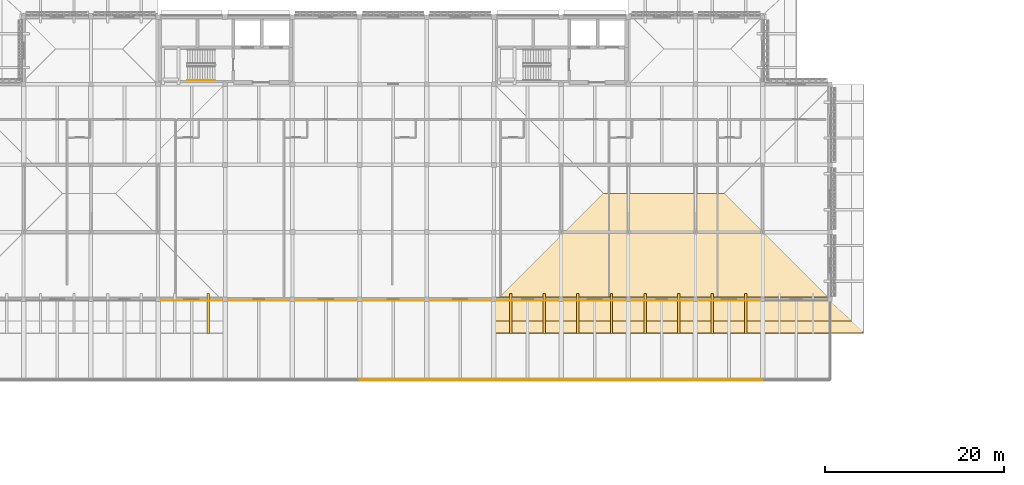
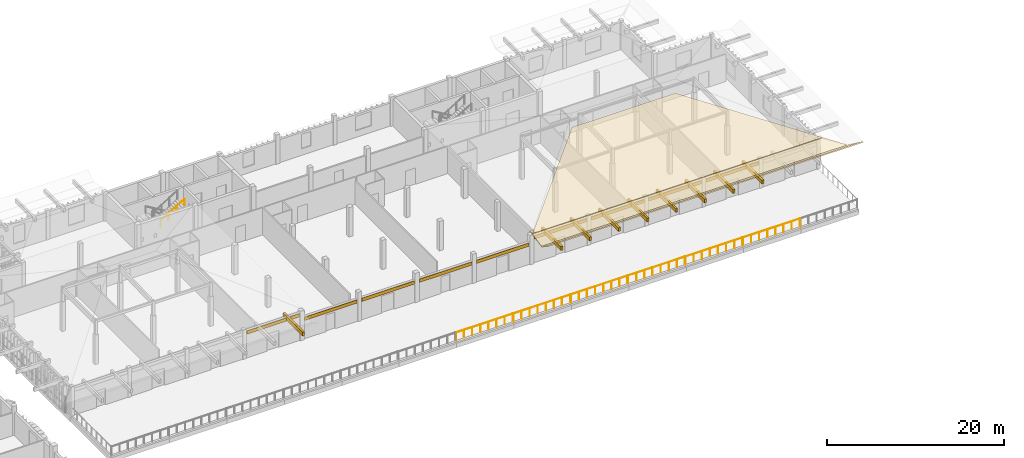
# One storey, part 42 of 48: 21 coverings, 7 railings.
"""IFC4 building model written with IfcOpenShell, lengths in metres."""

import ifcopenshell
import ifcopenshell.guid

model = None  # the IFC model being written
_history = None  # IfcOwnerHistory: only IFC2X3 demands one
_inside = {}  # id of a spatial element -> (the spatial element, [elements in it])
_under = {}  # id of a project, library or spatial element -> (it, [spatial elements below it])
_declared = {}  # id of a project -> (the project, [libraries it declares])
_typed = {}  # id of a type object -> (the type object, [elements of that type])
_made_of = {}  # id of a material, layer set ... -> (it, [elements and type objects made of it])


def new_model(schema):
    """Start an empty IFC model of exactly this schema.

    Asked for "IFC4X3", IfcOpenShell would pick the latest addendum, in which some entities
    have other attributes; the version numbers below select the first issue.
    IFC2X3 requires an IfcOwnerHistory on every rooted entity: one is made here for all.
    """
    global model, _history
    if schema == "IFC4X3":
        model = ifcopenshell.file(schema_version=(4, 3, 0, 0))
    else:
        model = ifcopenshell.file(schema=schema)
    _inside.clear()
    _under.clear()
    _declared.clear()
    _typed.clear()
    _made_of.clear()
    _history = None
    if model.schema == "IFC2X3":
        org = make("IfcOrganization", Name="unknown")
        user = make(
            "IfcPersonAndOrganization",
            ThePerson=make("IfcPerson", FamilyName="unknown"),
            TheOrganization=org,
        )
        app = make(
            "IfcApplication",
            ApplicationDeveloper=org,
            Version="unknown",
            ApplicationFullName="unknown",
            ApplicationIdentifier="unknown",
        )
        _history = make(
            "IfcOwnerHistory",
            OwningUser=user,
            OwningApplication=app,
            ChangeAction="ADDED",
            CreationDate=0,
        )
    return model


def make(cls, **values):
    """One entity of the class cls with the attributes given. An attribute that is None is left unset."""
    return model.create_entity(
        cls, **{name: value for name, value in values.items() if value is not None}
    )


def rooted(cls, **values):
    """An entity with a GlobalId (a new one), such as an element, a storey or a relation."""
    return make(cls, GlobalId=ifcopenshell.guid.new(), OwnerHistory=_history, **values)


def si_unit(unit_type, name, prefix=None):
    """IfcSIUnit, for example si_unit("LENGTHUNIT", "METRE", prefix="MILLI")."""
    return make("IfcSIUnit", UnitType=unit_type, Prefix=prefix, Name=name)


def assignment(units):
    """IfcUnitAssignment: the units of a project."""
    return None if units is None else make("IfcUnitAssignment", Units=units)


def point(xyz):
    """IfcCartesianPoint."""
    return None if xyz is None else make("IfcCartesianPoint", Coordinates=xyz)


def direction(xyz):
    """IfcDirection."""
    return None if xyz is None else make("IfcDirection", DirectionRatios=xyz)


def frame(location, z_axis=None, x_axis=None):
    """IfcAxis2Placement3D, a coordinate frame: its origin and axes. An axis left out is left unset."""
    return make(
        "IfcAxis2Placement3D",
        Location=point(location),
        Axis=direction(z_axis),
        RefDirection=direction(x_axis),
    )


def frame_2d(location, x_axis=None):
    """IfcAxis2Placement2D, a coordinate frame in the plane: its origin and x axis."""
    return make(
        "IfcAxis2Placement2D", Location=point(location), RefDirection=direction(x_axis)
    )


def origin():
    """The frame at (0, 0, 0) with its axes left unset."""
    return frame((0.0, 0.0, 0.0))


def origin_2d():
    """The frame at (0, 0) in the plane with its x axis left unset."""
    return frame_2d((0.0, 0.0))


def place(relative_to, where):
    """IfcLocalPlacement: puts the frame where relative to a parent placement (None: the world)."""
    return make(
        "IfcLocalPlacement", PlacementRelTo=relative_to, RelativePlacement=where
    )


def context(
    kind, dimensions, precision=None, world=None, true_north=None, identifier=None
):
    """IfcGeometricRepresentationContext, for example the 3D "Model" context."""
    return make(
        "IfcGeometricRepresentationContext",
        ContextIdentifier=identifier,
        ContextType=kind,
        CoordinateSpaceDimension=dimensions,
        Precision=precision,
        WorldCoordinateSystem=world,
        TrueNorth=true_north,
    )


def subcontext(parent, identifier, kind, view, scale=None):
    """IfcGeometricRepresentationSubContext, for example "Body" below "Model"."""
    return make(
        "IfcGeometricRepresentationSubContext",
        ContextIdentifier=identifier,
        ContextType=kind,
        ParentContext=parent,
        TargetScale=scale,
        TargetView=view,
    )


def project(units=None, contexts=None):
    """IfcProject with its units and contexts."""
    return rooted(
        "IfcProject",
        Name="project",
        RepresentationContexts=contexts,
        UnitsInContext=assignment(units),
    )


def spatial(cls, under=None, at=None, **own):
    """A site, building, storey or space (cls), placed at a placement, below another one or the project."""
    s = rooted(cls, ObjectPlacement=at, **own)
    if under is not None:
        _under.setdefault(under.id(), (under, []))[1].append(s)
    return s


def polyline(points):
    """IfcPolyline through the points."""
    return make("IfcPolyline", Points=[point(p) for p in points])


def profile(cls, at=None, kind="AREA", **sizes):
    """A parametric profile (cls). Its sizes go by their IFC names, for example OverallWidth=200.0."""
    return make(cls, ProfileType=kind, Position=at, **sizes)


def rectangle(**sizes):
    """IfcRectangleProfileDef."""
    return profile("IfcRectangleProfileDef", **sizes)


def circle(**sizes):
    """IfcCircleProfileDef."""
    return profile("IfcCircleProfileDef", **sizes)


def outline(outer, holes=None, kind="AREA"):
    """IfcArbitraryClosedProfileDef: a profile drawn as a closed curve; with holes, ...WithVoids."""
    if holes is None:
        return make("IfcArbitraryClosedProfileDef", ProfileType=kind, OuterCurve=outer)
    return make(
        "IfcArbitraryProfileDefWithVoids",
        ProfileType=kind,
        OuterCurve=outer,
        InnerCurves=holes,
    )


def extrude(swept, where, along, depth):
    """IfcExtrudedAreaSolid: the profile swept, set in the frame where, extruded along a direction by depth."""
    return make(
        "IfcExtrudedAreaSolid",
        SweptArea=swept,
        Position=where,
        ExtrudedDirection=direction(along),
        Depth=depth,
    )


def shape(context_of_items, identifier, shape_type, items):
    """IfcShapeRepresentation: the items that make up one representation, for example the "Body"."""
    return make(
        "IfcShapeRepresentation",
        ContextOfItems=context_of_items,
        RepresentationIdentifier=identifier,
        RepresentationType=shape_type,
        Items=items,
    )


def material(Name=None, Category=None):
    """IfcMaterial."""
    return make("IfcMaterial", Name=Name, Category=Category)


def layer(
    of_material, thickness, ventilated=None, Name=None, Category=None, Priority=None
):
    """IfcMaterialLayer: one layer of a wall or slab, of a material (None: an air gap)."""
    return make(
        "IfcMaterialLayer",
        Material=of_material,
        LayerThickness=thickness,
        IsVentilated=ventilated,
        Name=Name,
        Category=Category,
        Priority=Priority,
    )


def layer_set(layers, Name=None):
    """IfcMaterialLayerSet."""
    return make("IfcMaterialLayerSet", MaterialLayers=layers, LayerSetName=Name)


def made_of(thing, what):
    """Note that an element or type object is made of a material, layer set ...; save() writes the relation."""
    if what is not None:
        _made_of.setdefault(what.id(), (what, []))[1].append(thing)
    return thing


def type_object(cls, material=None, **own):
    """A type object (cls), such as IfcWallType, which elements share."""
    return made_of(rooted(cls, **own), material)


def element(
    cls,
    number,
    at=None,
    inside=None,
    cuts=None,
    type_object=None,
    material=None,
    context=None,
    identifier="Body",
    shape_type=None,
    held_by="IfcProductDefinitionShape",
    body=None,
    shapes=None,
    **own,
):
    """One element of the class cls, such as IfcWall. Its Tag is "e" and its number.

    at: its placement. inside: the storey or other place that contains it. cuts: it is an
    opening in that element (IfcRelVoidsElement). A single representation is given by context,
    identifier, shape_type and body (its items); several are given by shapes. held_by: the class
    of the entity that holds the representations. save() writes the other relations.
    """
    e = rooted(cls, Tag="e%d" % number, ObjectPlacement=at, **own)
    if body is not None:
        shapes = [shape(context, identifier, shape_type, body)]
    if shapes is not None:
        e.Representation = make(held_by, Representations=shapes)
    if inside is not None:
        _inside.setdefault(inside.id(), (inside, []))[1].append(e)
    if cuts is not None:
        rooted(
            "IfcRelVoidsElement", RelatingBuildingElement=cuts, RelatedOpeningElement=e
        )
    if type_object is not None:
        _typed.setdefault(type_object.id(), (type_object, []))[1].append(e)
    return made_of(e, material)


def aggregate(whole, parts):
    """IfcRelAggregates: a whole, such as a stair, and the parts it consists of."""
    return rooted("IfcRelAggregates", RelatingObject=whole, RelatedObjects=parts)


def save(model, path):
    """Write the relations noted so far, then the file.

    IfcRelAggregates (storeys below a building ...), IfcRelContainedInSpatialStructure (elements
    in a storey), IfcRelDefinesByType, IfcRelAssociatesMaterial and IfcRelDeclares: one each for
    every whole, place, type object, material and project.
    """
    for whole, parts in _under.values():
        aggregate(whole, parts)
    for where, things in _inside.values():
        rooted(
            "IfcRelContainedInSpatialStructure",
            RelatedElements=things,
            RelatingStructure=where,
        )
    for kind, things in _typed.values():
        rooted("IfcRelDefinesByType", RelatedObjects=things, RelatingType=kind)
    for what, things in _made_of.values():
        rooted("IfcRelAssociatesMaterial", RelatedObjects=things, RelatingMaterial=what)
    for by, libraries in _declared.values():
        rooted("IfcRelDeclares", RelatingContext=by, RelatedDefinitions=libraries)
    model.write(path)


model = new_model("IFC4")

# Units and contexts
model_context = context("Model", 3, precision=1e-05, world=origin(), true_north=direction((0.0, 1.0)))
body_context = subcontext(model_context, "Body", "Model", "MODEL_VIEW")
ifc_project = project(units=[si_unit("LENGTHUNIT", "METRE"), si_unit("AREAUNIT", "SQUARE_METRE"), si_unit("VOLUMEUNIT", "CUBIC_METRE"), si_unit("PLANEANGLEUNIT", "RADIAN"), si_unit("MASSUNIT", "GRAM", prefix="KILO")], contexts=[model_context])

# Site, building, storey
site_placement = place(None, origin())
site = spatial("IfcSite", under=ifc_project, at=site_placement, CompositionType="ELEMENT")
building_placement = place(site_placement, origin())
building = spatial("IfcBuilding", under=site, at=building_placement, Name="Dalvernix Boulevard General Hospital", CompositionType="ELEMENT")
storey_placement = place(building_placement, frame((0.0, 0.0, 17.85009765625)))
storey = spatial("IfcBuildingStorey", under=building, at=storey_placement, Name="L04", CompositionType="ELEMENT", Elevation=17.85009765625)

# Coverings
ifc_material_1 = material(Name="Polychrome Catalan glazed ceramic spandrel tile panel")
ifc_layer_1 = layer(ifc_material_1, 0.044921875)
ifc_layer_set_1 = layer_set([ifc_layer_1], Name="Polychrome Catalan glazed ceramic spandrel tile panel (COV-CLD-01)")
covering_type_1 = type_object("IfcCoveringType", Name="COV-CLD-01", PredefinedType="CLADDING", material=ifc_layer_set_1)
covering_1_placement = place(storey_placement, frame((63.72509765625, 85.330078125, 3.294921875), z_axis=(0.0, 0.0, 1.0), x_axis=(-1.0, 0.0, 0.0)))
element("IfcCovering", 1, at=covering_1_placement, inside=storey, type_object=covering_type_1, Name="L04 polychrome ceramic spandrel S 8-11", PredefinedType="CLADDING", context=body_context, shape_type="SweptSolid", body=[
    extrude(rectangle(XDim=6.8798828125, YDim=0.044921875, at=origin_2d()), origin(), (0.0, 0.0, 1.0), 0.449951171875),
])
for number, where, z_axis, x_axis, name in (
    (2, (71.262451171875, 85.330078125, 2.5546875), (0.0, 0.0, 1.0), (-1.0, 0.0, 0.0), "L04 polychrome ceramic spandrel S 9-11"),
    (3, (78.737548828125, 85.330078125, 2.5546875), (0.0, 0.0, 1.0), (-1.0, 0.0, 0.0), "L04 polychrome ceramic spandrel S 10-11"),
    (4, (86.262451171875, 85.330078125, 2.5546875), (0.0, 0.0, 1.0), (-1.0, 0.0, 0.0), "L04 polychrome ceramic spandrel S 11-11"),
    (5, (93.737548828125, 85.330078125, 2.5546875), (0.0, 0.0, 1.0), (-1.0, 0.0, 0.0), "L04 polychrome ceramic spandrel S 12-11"),
):
    element("IfcCovering", number, at=place(storey_placement, frame(where, z_axis=z_axis, x_axis=x_axis)), inside=storey, type_object=covering_type_1, Name=name, PredefinedType="CLADDING", context=body_context, shape_type="SweptSolid", body=[
        extrude(rectangle(XDim=6.85498046875, YDim=0.044921875, at=origin_2d()), origin(), (0.0, 0.0, 1.0), 0.449951171875),
    ])
covering_2_placement = place(storey_placement, frame((101.27490234375, 85.330078125, 3.294921875), z_axis=(0.0, 0.0, 1.0), x_axis=(-1.0, 0.0, 0.0)))
element("IfcCovering", 6, at=covering_2_placement, inside=storey, type_object=covering_type_1, Name="L04 polychrome ceramic spandrel S 13-11", PredefinedType="CLADDING", context=body_context, shape_type="SweptSolid", body=[
    extrude(rectangle(XDim=6.8798828125, YDim=0.044921875, at=origin_2d()), origin(), (0.0, 0.0, 1.0), 0.449951171875),
])
for number, where, z_axis, x_axis, name in (
    (7, (108.75, 85.330078125, 3.294921875), (0.0, 0.0, 1.0), (-1.0, 0.0, 0.0), "L04 polychrome ceramic spandrel S 14-11"),
    (8, (116.25, 85.330078125, 3.294921875), (0.0, 0.0, 1.0), (-1.0, 0.0, 0.0), "L04 polychrome ceramic spandrel S 15-11"),
    (9, (123.75, 85.330078125, 3.294921875), (0.0, 0.0, 1.0), (-1.0, 0.0, 0.0), "L04 polychrome ceramic spandrel S 16-11"),
):
    element("IfcCovering", number, at=place(storey_placement, frame(where, z_axis=z_axis, x_axis=x_axis)), inside=storey, type_object=covering_type_1, Name=name, PredefinedType="CLADDING", context=body_context, shape_type="SweptSolid", body=[
        extrude(rectangle(XDim=6.929931640625, YDim=0.044921875, at=origin_2d()), origin(), (0.0, 0.0, 1.0), 0.449951171875),
    ])
ifc_material_2 = material(Name="Glazed Catalan terracotta and iroko timber overhanging upturned eave", Category="masonry")
ifc_layer_2 = layer(ifc_material_2, 0.139892578125)
ifc_layer_set_2 = layer_set([ifc_layer_2], Name="Glazed Catalan terracotta and iroko timber overhanging upturned eave (COV-EAVE-01)")
covering_type_2 = type_object("IfcCoveringType", Name="COV-EAVE-01", PredefinedType="CLADDING", material=ifc_layer_set_2)
covering_3_placement = place(storey_placement, frame((97.5, 85.75, 4.309814453125), z_axis=(0.0, -0.185805173125, 0.982586605669), x_axis=(1.0, 0.0, 0.0)))
element("IfcCovering", 10, at=covering_3_placement, inside=storey, type_object=covering_type_2, Name="V3E overhanging ceramic eave skirt S", PredefinedType="CLADDING", context=body_context, shape_type="SweptSolid", body=[
    extrude(outline(polyline([(0.0, 0.0), (37.5, 0.0), (40.0, -2.798735484621844), (0.0, -2.798735484621844), (0.0, 0.0)])), origin(), (0.0, 0.0, -1.0), 0.139892578125),
])
covering_4_placement = place(storey_placement, frame((97.5, 83.080078125, 3.789794921875), z_axis=(0.0, 0.543014792189, 0.839723130242), x_axis=(1.0, 0.0, 0.0)))
element("IfcCovering", 11, at=covering_4_placement, inside=storey, type_object=covering_type_2, Name="V3E upturned ceramic eave wing S", PredefinedType="CLADDING", context=body_context, shape_type="SweptSolid", body=[
    extrude(outline(polyline([(0.0, 0.0), (40.0, 0.0), (41.25, -1.5839484195414872), (0.0, -1.5839484195414872), (0.0, 0.0)])), origin(), (0.0, 0.0, -1.0), 0.139892578125),
])
ifc_material_3 = material(Name="Preservative-treated glulam GL28h eave outlooker corbel bracket", Category="wood")
ifc_layer_3 = layer(ifc_material_3, 0.239990234375)
ifc_layer_set_3 = layer_set([ifc_layer_3], Name="Preservative-treated glulam GL28h eave outlooker corbel bracket (COV-OUTLOOK-01)")
covering_type_3 = type_object("IfcCoveringType", Name="COV-OUTLOOK-01", PredefinedType="CLADDING", material=ifc_layer_set_3)
for number, where, z_axis, x_axis, name in (
    (12, (65.625, 83.925048828125, 3.389892578125), (0.0, 0.0, 1.0), (1.0, 0.0, 0.0), "V3W glulam eave outlooker corbel S-8"),
    (13, (99.375, 83.925048828125, 3.389892578125), (0.0, 0.0, 1.0), (1.0, 0.0, 0.0), "V3E glulam eave outlooker corbel S-1"),
    (14, (103.125, 83.925048828125, 3.389892578125), (0.0, 0.0, 1.0), (1.0, 0.0, 0.0), "V3E glulam eave outlooker corbel S-2"),
    (15, (106.875, 83.925048828125, 3.389892578125), (0.0, 0.0, 1.0), (1.0, 0.0, 0.0), "V3E glulam eave outlooker corbel S-3"),
    (16, (110.625, 83.925048828125, 3.389892578125), (0.0, 0.0, 1.0), (1.0, 0.0, 0.0), "V3E glulam eave outlooker corbel S-4"),
    (17, (114.375, 83.925048828125, 3.389892578125), (0.0, 0.0, 1.0), (1.0, 0.0, 0.0), "V3E glulam eave outlooker corbel S-5"),
    (18, (118.125, 83.925048828125, 3.389892578125), (0.0, 0.0, 1.0), (1.0, 0.0, 0.0), "V3E glulam eave outlooker corbel S-6"),
    (19, (121.875, 83.925048828125, 3.389892578125), (0.0, 0.0, 1.0), (1.0, 0.0, 0.0), "V3E glulam eave outlooker corbel S-7"),
    (20, (125.625, 83.925048828125, 3.389892578125), (0.0, 0.0, 1.0), (1.0, 0.0, 0.0), "V3E glulam eave outlooker corbel S-8"),
):
    element("IfcCovering", number, at=place(storey_placement, frame(where, z_axis=z_axis, x_axis=x_axis)), inside=storey, type_object=covering_type_3, Name=name, PredefinedType="CLADDING", context=body_context, shape_type="SweptSolid", body=[
        extrude(rectangle(XDim=0.260009765625, YDim=4.449951171875, at=origin_2d()), origin(), (0.0, 0.0, 1.0), 0.52001953125),
    ])
ifc_material_4 = material(Name="Polychrome Catalan glazed terracotta roof tiles", Category="masonry")
ifc_layer_4 = layer(ifc_material_4, 0.050048828125)
ifc_layer_set_4 = layer_set([ifc_layer_4], Name="Polychrome Catalan glazed terracotta roof tiles (COV-ROOF-01)")
covering_type_4 = type_object("IfcCoveringType", Name="COV-ROOF-01", PredefinedType="ROOFING", material=ifc_layer_set_4)
covering_5_placement = place(storey_placement, frame((97.5, 85.10009765625, 4.31982421875), z_axis=(0.0, -0.238532452459, 0.97113452679), x_axis=(1.0, 0.0, 0.0)))
element("IfcCovering", 21, at=covering_5_placement, inside=storey, type_object=covering_type_4, Name="V3E glazed terracotta tile slope S", PredefinedType="ROOFING", context=body_context, shape_type="SweptSolid", body=[
    extrude(outline(polyline([(0.0, 0.0), (37.89990234375, 0.0), (25.699951171875, 12.562575869070187), (12.199951171875, 12.562575869070187), (0.0, 0.0)])), origin(), (0.0, 0.0, -1.0), 0.050048828125),
])

# Railings
ifc_material_5 = material(Name="Powder-coated galvanized steel balustrade", Category="steel")
railing_type_1 = type_object("IfcRailingType", Name="RL-GR-EXT1", PredefinedType="BALUSTRADE", material=ifc_material_5)
for number, where, name in (
    (22, (127.4599609375, 76.5, 0.0), "L04 terrace safety balustrade 3"),
    (23, (119.9599609375, 76.5, 0.0), "L04 terrace safety balustrade 4"),
    (24, (112.4599609375, 76.5, 0.0), "L04 terrace safety balustrade 5"),
    (25, (104.9599609375, 76.5, 0.0), "L04 terrace safety balustrade 6"),
    (26, (97.4599609375, 76.5, 0.0), "L04 terrace safety balustrade 7"),
    (27, (89.9599609375, 76.5, 0.0), "L04 terrace safety balustrade 8"),
):
    element("IfcRailing", number, at=place(storey_placement, frame(where)), inside=storey, type_object=railing_type_1, Name=name, PredefinedType="BALUSTRADE", context=body_context, shape_type="SweptSolid", body=[
        extrude(circle(Radius=0.02392578125, at=origin_2d()), frame((0.0, 0.0, 1.09619140625), z_axis=(-1.0, 0.0, 0.0), x_axis=(0.0, -1.0, 0.0)), (0.0, 0.0, 1.0), 7.419921875),
        extrude(circle(Radius=0.02099609375, at=origin_2d()), origin(), (0.0, 0.0, 1.0), 1.072021484375),
        extrude(circle(Radius=0.02099609375, at=origin_2d()), frame((-1.06005859375, 0.0, 0.0)), (0.0, 0.0, 1.0), 1.072021484375),
        extrude(circle(Radius=0.02099609375, at=origin_2d()), frame((-2.119873046875, 0.0, 0.0)), (0.0, 0.0, 1.0), 1.072021484375),
        extrude(circle(Radius=0.02099609375, at=origin_2d()), frame((-3.179931640625, 0.0, 0.0)), (0.0, 0.0, 1.0), 1.072021484375),
        extrude(circle(Radius=0.02099609375, at=origin_2d()), frame((-4.239990234375, 0.0, 0.0)), (0.0, 0.0, 1.0), 1.072021484375),
        extrude(circle(Radius=0.02099609375, at=origin_2d()), frame((-5.300048828125, 0.0, 0.0)), (0.0, 0.0, 1.0), 1.072021484375),
        extrude(circle(Radius=0.02099609375, at=origin_2d()), frame((-6.35986328125, 0.0, 0.0)), (0.0, 0.0, 1.0), 1.072021484375),
        extrude(circle(Radius=0.02099609375, at=origin_2d()), frame((-7.419921875, 0.0, 0.0)), (0.0, 0.0, 1.0), 1.072021484375),
    ])
ifc_material_6 = material(Name="Brushed stainless steel wall handrail", Category="steel")
railing_type_2 = type_object("IfcRailingType", Name="RL-HR-INT1", PredefinedType="HANDRAIL", material=ifc_material_6)
railing_placement = place(storey_placement, frame((63.27001953125, 109.949951171875, 2.193603515625)))
element("IfcRailing", 28, at=railing_placement, inside=storey, type_object=railing_type_2, Name="L04 ST-03 stair handrail 2", PredefinedType="HANDRAIL", context=body_context, shape_type="SweptSolid", body=[
    extrude(circle(Radius=0.02392578125, at=origin_2d()), frame((0.0, 0.0, 0.8759765625), z_axis=(0.856490936558, 0.0, 0.516162063304), x_axis=(0.0, 1.0, 0.0)), (0.0, 0.0, 1.0), 3.59619140625),
    extrude(circle(Radius=0.02099609375, at=origin_2d()), origin(), (0.0, 0.0, 1.0), 0.851806640625),
    extrude(circle(Radius=0.02099609375, at=origin_2d()), frame((1.026611328125, 0.0, 0.61865234375)), (0.0, 0.0, 1.0), 0.851806640625),
    extrude(circle(Radius=0.02099609375, at=origin_2d()), frame((2.053466796875, 0.0, 1.237548828125)), (0.0, 0.0, 1.0), 0.851806640625),
    extrude(circle(Radius=0.02099609375, at=origin_2d()), frame((3.080078125, 0.0, 1.856201171875)), (0.0, 0.0, 1.0), 0.851806640625),
])

save(model, "model.ifc")
